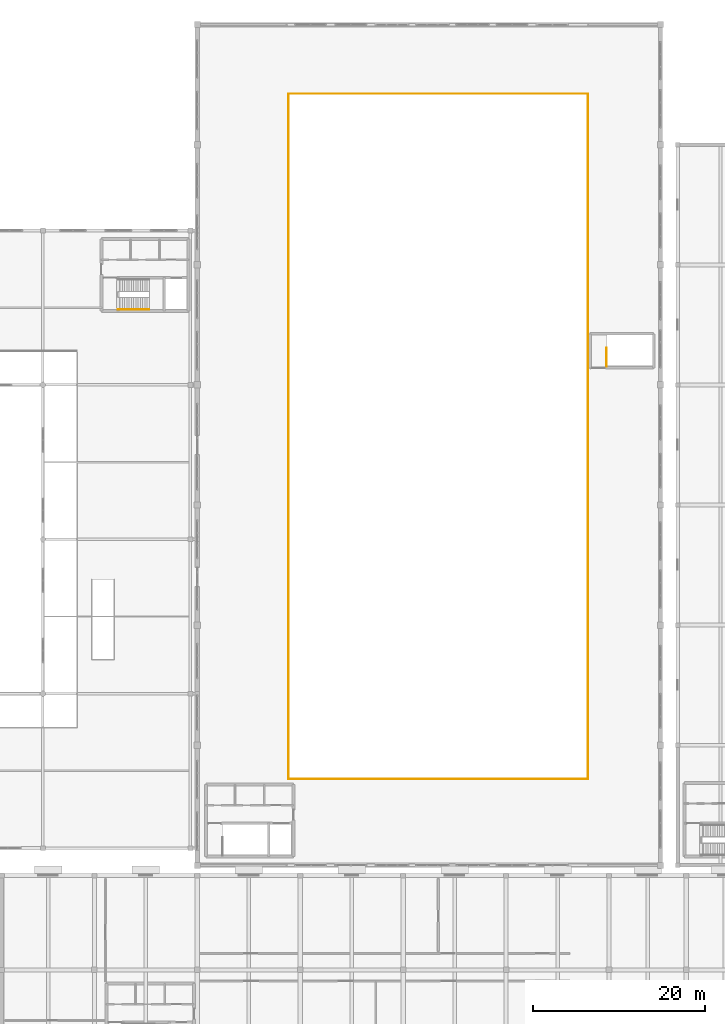
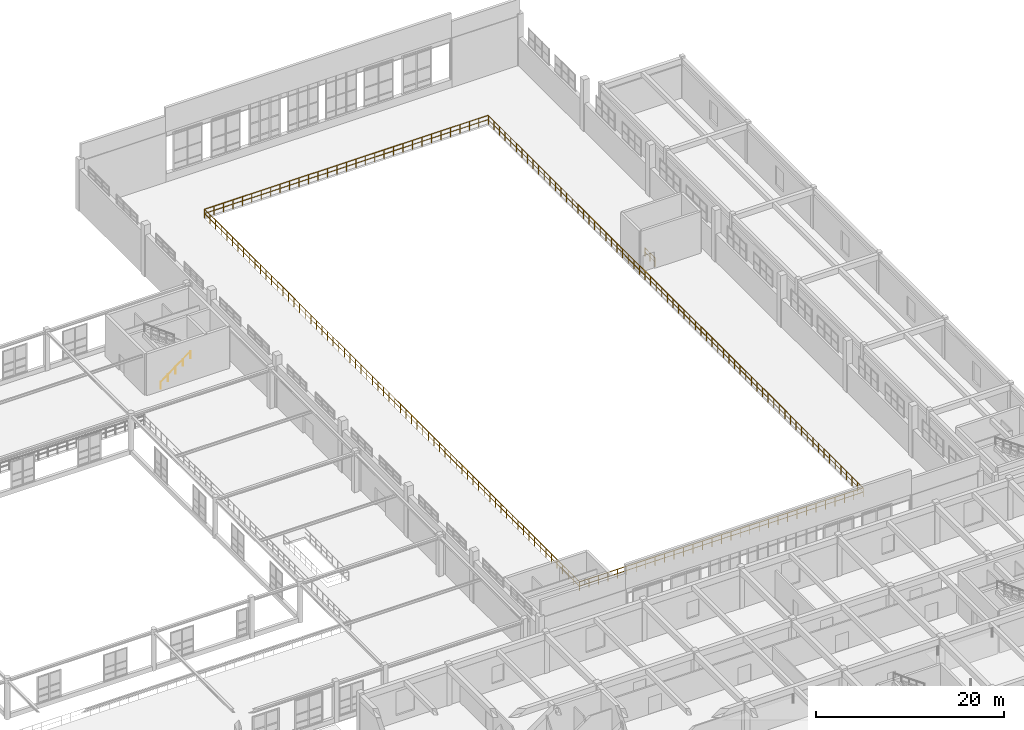
# One storey, part 196 of 197: 4 railings.
"""IFC4 building model written with IfcOpenShell, lengths in metres."""

from ifc_helpers import new_model, si_unit, derived_unit, direction, frame, origin, origin_2d, place, context, subcontext, project, spatial, circle, extrude, material, type_object, element, save


model = new_model("IFC4")

# Units and contexts
model_context = context("Model", 3, precision=1e-05, world=origin(), true_north=direction((0.0, 1.0)))
body_context = subcontext(model_context, "Body", "Model", "MODEL_VIEW")
ifc_project = project(units=[si_unit("LENGTHUNIT", "METRE"), si_unit("AREAUNIT", "SQUARE_METRE"), si_unit("VOLUMEUNIT", "CUBIC_METRE"), si_unit("PLANEANGLEUNIT", "RADIAN"), si_unit("MASSUNIT", "GRAM", prefix="KILO"), derived_unit("THERMALTRANSMITTANCEUNIT", [(si_unit("POWERUNIT", "WATT"), 1), (si_unit("LENGTHUNIT", "METRE"), -2), (si_unit("THERMODYNAMICTEMPERATUREUNIT", "KELVIN"), -1)])], contexts=[model_context])

# Site, building, storey
site_placement = place(None, origin())
site = spatial("IfcSite", under=ifc_project, at=site_placement, CompositionType="ELEMENT")
building_placement = place(site_placement, origin())
building = spatial("IfcBuilding", under=site, at=building_placement, Name="Almenara Railside Exhibition Hall", CompositionType="ELEMENT")
storey_placement = place(building_placement, frame((0.0, 0.0, 5.39990234375)))
storey = spatial("IfcBuildingStorey", under=building, at=storey_placement, Name="L01", CompositionType="ELEMENT", Elevation=5.39990234375)

# Railings
ifc_material_1 = material(Name="Bronze-capped laminated glass balustrade", Category="glass")
railing_type_1 = type_object("IfcRailingType", Name="Gallery Overlook Glazed Balustrade 1150mm", PredefinedType="BALUSTRADE", material=ifc_material_1)
railing_1_placement = place(storey_placement, frame((148.64990234375, 44.050048828125, 0.0)))
element("IfcRailing", 1, at=railing_1_placement, inside=storey, type_object=railing_type_1, Name="Guard balustrade 0020", PredefinedType="BALUSTRADE", context=body_context, shape_type="SweptSolid", body=[
    extrude(circle(Radius=0.02392578125, at=origin_2d()), frame((0.0, 0.0, 1.1259765625), z_axis=(1.0, 0.0, 0.0), x_axis=(0.0, 1.0, 0.0)), (0.0, 0.0, 1.0), 34.900146484375),
    extrude(circle(Radius=0.01416015625, at=origin_2d()), frame((0.0, 0.0, 0.574951171875), z_axis=(1.0, 0.0, 0.0), x_axis=(0.0, 1.0, 0.0)), (0.0, 0.0, 1.0), 34.900146484375),
    extrude(circle(Radius=0.02392578125, at=origin_2d()), frame((34.900146484375, 0.0, 1.1259765625), z_axis=(0.0, 1.0, 0.0), x_axis=(-1.0, 0.0, 0.0)), (0.0, 0.0, 1.0), 79.875),
    extrude(circle(Radius=0.01416015625, at=origin_2d()), frame((34.900146484375, 0.0, 0.574951171875), z_axis=(0.0, 1.0, 0.0), x_axis=(-1.0, 0.0, 0.0)), (0.0, 0.0, 1.0), 79.875),
    extrude(circle(Radius=0.02099609375, at=origin_2d()), origin(), (0.0, 0.0, 1.0), 1.101806640625),
    extrude(circle(Radius=0.02099609375, at=origin_2d()), frame((1.163330078125, 0.0, 0.0)), (0.0, 0.0, 1.0), 1.101806640625),
    extrude(circle(Radius=0.02099609375, at=origin_2d()), frame((2.32666015625, 0.0, 0.0)), (0.0, 0.0, 1.0), 1.101806640625),
    extrude(circle(Radius=0.02099609375, at=origin_2d()), frame((3.489990234375, 0.0, 0.0)), (0.0, 0.0, 1.0), 1.101806640625),
    extrude(circle(Radius=0.02099609375, at=origin_2d()), frame((4.6533203125, 0.0, 0.0)), (0.0, 0.0, 1.0), 1.101806640625),
    extrude(circle(Radius=0.02099609375, at=origin_2d()), frame((5.816650390625, 0.0, 0.0)), (0.0, 0.0, 1.0), 1.101806640625),
    extrude(circle(Radius=0.02099609375, at=origin_2d()), frame((6.97998046875, 0.0, 0.0)), (0.0, 0.0, 1.0), 1.101806640625),
    extrude(circle(Radius=0.02099609375, at=origin_2d()), frame((8.143310546875, 0.0, 0.0)), (0.0, 0.0, 1.0), 1.101806640625),
    extrude(circle(Radius=0.02099609375, at=origin_2d()), frame((9.306640625, 0.0, 0.0)), (0.0, 0.0, 1.0), 1.101806640625),
    extrude(circle(Radius=0.02099609375, at=origin_2d()), frame((10.469970703125, 0.0, 0.0)), (0.0, 0.0, 1.0), 1.101806640625),
    extrude(circle(Radius=0.02099609375, at=origin_2d()), frame((11.63330078125, 0.0, 0.0)), (0.0, 0.0, 1.0), 1.101806640625),
    extrude(circle(Radius=0.02099609375, at=origin_2d()), frame((12.796630859375, 0.0, 0.0)), (0.0, 0.0, 1.0), 1.101806640625),
    extrude(circle(Radius=0.02099609375, at=origin_2d()), frame((13.9599609375, 0.0, 0.0)), (0.0, 0.0, 1.0), 1.101806640625),
    extrude(circle(Radius=0.02099609375, at=origin_2d()), frame((15.123291015625, 0.0, 0.0)), (0.0, 0.0, 1.0), 1.101806640625),
    extrude(circle(Radius=0.02099609375, at=origin_2d()), frame((16.28662109375, 0.0, 0.0)), (0.0, 0.0, 1.0), 1.101806640625),
    extrude(circle(Radius=0.02099609375, at=origin_2d()), frame((17.4501953125, 0.0, 0.0)), (0.0, 0.0, 1.0), 1.101806640625),
    extrude(circle(Radius=0.02099609375, at=origin_2d()), frame((18.613525390625, 0.0, 0.0)), (0.0, 0.0, 1.0), 1.101806640625),
    extrude(circle(Radius=0.02099609375, at=origin_2d()), frame((19.77685546875, 0.0, 0.0)), (0.0, 0.0, 1.0), 1.101806640625),
    extrude(circle(Radius=0.02099609375, at=origin_2d()), frame((20.940185546875, 0.0, 0.0)), (0.0, 0.0, 1.0), 1.101806640625),
    extrude(circle(Radius=0.02099609375, at=origin_2d()), frame((22.103515625, 0.0, 0.0)), (0.0, 0.0, 1.0), 1.101806640625),
    extrude(circle(Radius=0.02099609375, at=origin_2d()), frame((23.266845703125, 0.0, 0.0)), (0.0, 0.0, 1.0), 1.101806640625),
    extrude(circle(Radius=0.02099609375, at=origin_2d()), frame((24.43017578125, 0.0, 0.0)), (0.0, 0.0, 1.0), 1.101806640625),
    extrude(circle(Radius=0.02099609375, at=origin_2d()), frame((25.593505859375, 0.0, 0.0)), (0.0, 0.0, 1.0), 1.101806640625),
    extrude(circle(Radius=0.02099609375, at=origin_2d()), frame((26.7568359375, 0.0, 0.0)), (0.0, 0.0, 1.0), 1.101806640625),
    extrude(circle(Radius=0.02099609375, at=origin_2d()), frame((27.920166015625, 0.0, 0.0)), (0.0, 0.0, 1.0), 1.101806640625),
    extrude(circle(Radius=0.02099609375, at=origin_2d()), frame((29.08349609375, 0.0, 0.0)), (0.0, 0.0, 1.0), 1.101806640625),
    extrude(circle(Radius=0.02099609375, at=origin_2d()), frame((30.246826171875, 0.0, 0.0)), (0.0, 0.0, 1.0), 1.101806640625),
    extrude(circle(Radius=0.02099609375, at=origin_2d()), frame((31.41015625, 0.0, 0.0)), (0.0, 0.0, 1.0), 1.101806640625),
    extrude(circle(Radius=0.02099609375, at=origin_2d()), frame((32.573486328125, 0.0, 0.0)), (0.0, 0.0, 1.0), 1.101806640625),
    extrude(circle(Radius=0.02099609375, at=origin_2d()), frame((33.73681640625, 0.0, 0.0)), (0.0, 0.0, 1.0), 1.101806640625),
    extrude(circle(Radius=0.02099609375, at=origin_2d()), frame((34.900146484375, 0.0, 0.0)), (0.0, 0.0, 1.0), 1.101806640625),
    extrude(circle(Radius=0.02099609375, at=origin_2d()), frame((34.900146484375, 1.192138671875, 0.0)), (0.0, 0.0, 1.0), 1.101806640625),
    extrude(circle(Radius=0.02099609375, at=origin_2d()), frame((34.900146484375, 2.38427734375, 0.0)), (0.0, 0.0, 1.0), 1.101806640625),
    extrude(circle(Radius=0.02099609375, at=origin_2d()), frame((34.900146484375, 3.576416015625, 0.0)), (0.0, 0.0, 1.0), 1.101806640625),
    extrude(circle(Radius=0.02099609375, at=origin_2d()), frame((34.900146484375, 4.7685546875, 0.0)), (0.0, 0.0, 1.0), 1.101806640625),
    extrude(circle(Radius=0.02099609375, at=origin_2d()), frame((34.900146484375, 5.9609375, 0.0)), (0.0, 0.0, 1.0), 1.101806640625),
    extrude(circle(Radius=0.02099609375, at=origin_2d()), frame((34.900146484375, 7.153076171875, 0.0)), (0.0, 0.0, 1.0), 1.101806640625),
    extrude(circle(Radius=0.02099609375, at=origin_2d()), frame((34.900146484375, 8.34521484375, 0.0)), (0.0, 0.0, 1.0), 1.101806640625),
    extrude(circle(Radius=0.02099609375, at=origin_2d()), frame((34.900146484375, 9.537353515625, 0.0)), (0.0, 0.0, 1.0), 1.101806640625),
    extrude(circle(Radius=0.02099609375, at=origin_2d()), frame((34.900146484375, 10.7294921875, 0.0)), (0.0, 0.0, 1.0), 1.101806640625),
    extrude(circle(Radius=0.02099609375, at=origin_2d()), frame((34.900146484375, 11.921630859375, 0.0)), (0.0, 0.0, 1.0), 1.101806640625),
    extrude(circle(Radius=0.02099609375, at=origin_2d()), frame((34.900146484375, 13.11376953125, 0.0)), (0.0, 0.0, 1.0), 1.101806640625),
    extrude(circle(Radius=0.02099609375, at=origin_2d()), frame((34.900146484375, 14.305908203125, 0.0)), (0.0, 0.0, 1.0), 1.101806640625),
    extrude(circle(Radius=0.02099609375, at=origin_2d()), frame((34.900146484375, 15.498046875, 0.0)), (0.0, 0.0, 1.0), 1.101806640625),
    extrude(circle(Radius=0.02099609375, at=origin_2d()), frame((34.900146484375, 16.690185546875, 0.0)), (0.0, 0.0, 1.0), 1.101806640625),
    extrude(circle(Radius=0.02099609375, at=origin_2d()), frame((34.900146484375, 17.882568359375, 0.0)), (0.0, 0.0, 1.0), 1.101806640625),
    extrude(circle(Radius=0.02099609375, at=origin_2d()), frame((34.900146484375, 19.07470703125, 0.0)), (0.0, 0.0, 1.0), 1.101806640625),
    extrude(circle(Radius=0.02099609375, at=origin_2d()), frame((34.900146484375, 20.266845703125, 0.0)), (0.0, 0.0, 1.0), 1.101806640625),
    extrude(circle(Radius=0.02099609375, at=origin_2d()), frame((34.900146484375, 21.458984375, 0.0)), (0.0, 0.0, 1.0), 1.101806640625),
    extrude(circle(Radius=0.02099609375, at=origin_2d()), frame((34.900146484375, 22.651123046875, 0.0)), (0.0, 0.0, 1.0), 1.101806640625),
    extrude(circle(Radius=0.02099609375, at=origin_2d()), frame((34.900146484375, 23.84326171875, 0.0)), (0.0, 0.0, 1.0), 1.101806640625),
    extrude(circle(Radius=0.02099609375, at=origin_2d()), frame((34.900146484375, 25.035400390625, 0.0)), (0.0, 0.0, 1.0), 1.101806640625),
    extrude(circle(Radius=0.02099609375, at=origin_2d()), frame((34.900146484375, 26.2275390625, 0.0)), (0.0, 0.0, 1.0), 1.101806640625),
    extrude(circle(Radius=0.02099609375, at=origin_2d()), frame((34.900146484375, 27.419677734375, 0.0)), (0.0, 0.0, 1.0), 1.101806640625),
    extrude(circle(Radius=0.02099609375, at=origin_2d()), frame((34.900146484375, 28.612060546875, 0.0)), (0.0, 0.0, 1.0), 1.101806640625),
    extrude(circle(Radius=0.02099609375, at=origin_2d()), frame((34.900146484375, 29.80419921875, 0.0)), (0.0, 0.0, 1.0), 1.101806640625),
    extrude(circle(Radius=0.02099609375, at=origin_2d()), frame((34.900146484375, 30.996337890625, 0.0)), (0.0, 0.0, 1.0), 1.101806640625),
    extrude(circle(Radius=0.02099609375, at=origin_2d()), frame((34.900146484375, 32.1884765625, 0.0)), (0.0, 0.0, 1.0), 1.101806640625),
    extrude(circle(Radius=0.02099609375, at=origin_2d()), frame((34.900146484375, 33.380615234375, 0.0)), (0.0, 0.0, 1.0), 1.101806640625),
    extrude(circle(Radius=0.02099609375, at=origin_2d()), frame((34.900146484375, 34.57275390625, 0.0)), (0.0, 0.0, 1.0), 1.101806640625),
    extrude(circle(Radius=0.02099609375, at=origin_2d()), frame((34.900146484375, 35.764892578125, 0.0)), (0.0, 0.0, 1.0), 1.101806640625),
    extrude(circle(Radius=0.02099609375, at=origin_2d()), frame((34.900146484375, 36.95703125, 0.0)), (0.0, 0.0, 1.0), 1.101806640625),
    extrude(circle(Radius=0.02099609375, at=origin_2d()), frame((34.900146484375, 38.149169921875, 0.0)), (0.0, 0.0, 1.0), 1.101806640625),
    extrude(circle(Radius=0.02099609375, at=origin_2d()), frame((34.900146484375, 39.34130859375, 0.0)), (0.0, 0.0, 1.0), 1.101806640625),
    extrude(circle(Radius=0.02099609375, at=origin_2d()), frame((34.900146484375, 40.53369140625, 0.0)), (0.0, 0.0, 1.0), 1.101806640625),
    extrude(circle(Radius=0.02099609375, at=origin_2d()), frame((34.900146484375, 41.725830078125, 0.0)), (0.0, 0.0, 1.0), 1.101806640625),
    extrude(circle(Radius=0.02099609375, at=origin_2d()), frame((34.900146484375, 42.91796875, 0.0)), (0.0, 0.0, 1.0), 1.101806640625),
    extrude(circle(Radius=0.02099609375, at=origin_2d()), frame((34.900146484375, 44.110107421875, 0.0)), (0.0, 0.0, 1.0), 1.101806640625),
    extrude(circle(Radius=0.02099609375, at=origin_2d()), frame((34.900146484375, 45.30224609375, 0.0)), (0.0, 0.0, 1.0), 1.101806640625),
    extrude(circle(Radius=0.02099609375, at=origin_2d()), frame((34.900146484375, 46.494384765625, 0.0)), (0.0, 0.0, 1.0), 1.101806640625),
    extrude(circle(Radius=0.02099609375, at=origin_2d()), frame((34.900146484375, 47.6865234375, 0.0)), (0.0, 0.0, 1.0), 1.101806640625),
    extrude(circle(Radius=0.02099609375, at=origin_2d()), frame((34.900146484375, 48.878662109375, 0.0)), (0.0, 0.0, 1.0), 1.101806640625),
    extrude(circle(Radius=0.02099609375, at=origin_2d()), frame((34.900146484375, 50.07080078125, 0.0)), (0.0, 0.0, 1.0), 1.101806640625),
    extrude(circle(Radius=0.02099609375, at=origin_2d()), frame((34.900146484375, 51.262939453125, 0.0)), (0.0, 0.0, 1.0), 1.101806640625),
    extrude(circle(Radius=0.02099609375, at=origin_2d()), frame((34.900146484375, 52.455322265625, 0.0)), (0.0, 0.0, 1.0), 1.101806640625),
    extrude(circle(Radius=0.02099609375, at=origin_2d()), frame((34.900146484375, 53.6474609375, 0.0)), (0.0, 0.0, 1.0), 1.101806640625),
    extrude(circle(Radius=0.02099609375, at=origin_2d()), frame((34.900146484375, 54.839599609375, 0.0)), (0.0, 0.0, 1.0), 1.101806640625),
    extrude(circle(Radius=0.02099609375, at=origin_2d()), frame((34.900146484375, 56.03173828125, 0.0)), (0.0, 0.0, 1.0), 1.101806640625),
    extrude(circle(Radius=0.02099609375, at=origin_2d()), frame((34.900146484375, 57.223876953125, 0.0)), (0.0, 0.0, 1.0), 1.101806640625),
    extrude(circle(Radius=0.02099609375, at=origin_2d()), frame((34.900146484375, 58.416015625, 0.0)), (0.0, 0.0, 1.0), 1.101806640625),
    extrude(circle(Radius=0.02099609375, at=origin_2d()), frame((34.900146484375, 59.608154296875, 0.0)), (0.0, 0.0, 1.0), 1.101806640625),
    extrude(circle(Radius=0.02099609375, at=origin_2d()), frame((34.900146484375, 60.80029296875, 0.0)), (0.0, 0.0, 1.0), 1.101806640625),
    extrude(circle(Radius=0.02099609375, at=origin_2d()), frame((34.900146484375, 61.992431640625, 0.0)), (0.0, 0.0, 1.0), 1.101806640625),
    extrude(circle(Radius=0.02099609375, at=origin_2d()), frame((34.900146484375, 63.184814453125, 0.0)), (0.0, 0.0, 1.0), 1.101806640625),
    extrude(circle(Radius=0.02099609375, at=origin_2d()), frame((34.900146484375, 64.376953125, 0.0)), (0.0, 0.0, 1.0), 1.101806640625),
    extrude(circle(Radius=0.02099609375, at=origin_2d()), frame((34.900146484375, 65.569091796875, 0.0)), (0.0, 0.0, 1.0), 1.101806640625),
    extrude(circle(Radius=0.02099609375, at=origin_2d()), frame((34.900146484375, 66.76123046875, 0.0)), (0.0, 0.0, 1.0), 1.101806640625),
    extrude(circle(Radius=0.02099609375, at=origin_2d()), frame((34.900146484375, 67.953369140625, 0.0)), (0.0, 0.0, 1.0), 1.101806640625),
    extrude(circle(Radius=0.02099609375, at=origin_2d()), frame((34.900146484375, 69.1455078125, 0.0)), (0.0, 0.0, 1.0), 1.101806640625),
    extrude(circle(Radius=0.02099609375, at=origin_2d()), frame((34.900146484375, 70.337646484375, 0.0)), (0.0, 0.0, 1.0), 1.101806640625),
    extrude(circle(Radius=0.02099609375, at=origin_2d()), frame((34.900146484375, 71.52978515625, 0.0)), (0.0, 0.0, 1.0), 1.101806640625),
    extrude(circle(Radius=0.02099609375, at=origin_2d()), frame((34.900146484375, 72.721923828125, 0.0)), (0.0, 0.0, 1.0), 1.101806640625),
    extrude(circle(Radius=0.02099609375, at=origin_2d()), frame((34.900146484375, 73.9140625, 0.0)), (0.0, 0.0, 1.0), 1.101806640625),
    extrude(circle(Radius=0.02099609375, at=origin_2d()), frame((34.900146484375, 75.1064453125, 0.0)), (0.0, 0.0, 1.0), 1.101806640625),
    extrude(circle(Radius=0.02099609375, at=origin_2d()), frame((34.900146484375, 76.298583984375, 0.0)), (0.0, 0.0, 1.0), 1.101806640625),
    extrude(circle(Radius=0.02099609375, at=origin_2d()), frame((34.900146484375, 77.49072265625, 0.0)), (0.0, 0.0, 1.0), 1.101806640625),
    extrude(circle(Radius=0.02099609375, at=origin_2d()), frame((34.900146484375, 78.682861328125, 0.0)), (0.0, 0.0, 1.0), 1.101806640625),
    extrude(circle(Radius=0.02099609375, at=origin_2d()), frame((34.900146484375, 79.875, 0.0)), (0.0, 0.0, 1.0), 1.101806640625),
])
railing_2_placement = place(storey_placement, frame((183.550048828125, 123.949951171875, 0.0)))
element("IfcRailing", 2, at=railing_2_placement, inside=storey, type_object=railing_type_1, Name="Guard balustrade 0021", PredefinedType="BALUSTRADE", context=body_context, shape_type="SweptSolid", body=[
    extrude(circle(Radius=0.02392578125, at=origin_2d()), frame((0.0, 0.0, 1.1259765625), z_axis=(-1.0, 0.0, 0.0), x_axis=(0.0, -1.0, 0.0)), (0.0, 0.0, 1.0), 34.900146484375),
    extrude(circle(Radius=0.01416015625, at=origin_2d()), frame((0.0, 0.0, 0.574951171875), z_axis=(-1.0, 0.0, 0.0), x_axis=(0.0, -1.0, 0.0)), (0.0, 0.0, 1.0), 34.900146484375),
    extrude(circle(Radius=0.02392578125, at=origin_2d()), frame((-34.900146484375, 0.0, 1.1259765625), z_axis=(0.0, -1.0, 0.0), x_axis=(1.0, 0.0, 0.0)), (0.0, 0.0, 1.0), 79.875),
    extrude(circle(Radius=0.01416015625, at=origin_2d()), frame((-34.900146484375, 0.0, 0.574951171875), z_axis=(0.0, -1.0, 0.0), x_axis=(1.0, 0.0, 0.0)), (0.0, 0.0, 1.0), 79.875),
    extrude(circle(Radius=0.02099609375, at=origin_2d()), origin(), (0.0, 0.0, 1.0), 1.101806640625),
    extrude(circle(Radius=0.02099609375, at=origin_2d()), frame((-1.163330078125, 0.0, 0.0)), (0.0, 0.0, 1.0), 1.101806640625),
    extrude(circle(Radius=0.02099609375, at=origin_2d()), frame((-2.32666015625, 0.0, 0.0)), (0.0, 0.0, 1.0), 1.101806640625),
    extrude(circle(Radius=0.02099609375, at=origin_2d()), frame((-3.489990234375, 0.0, 0.0)), (0.0, 0.0, 1.0), 1.101806640625),
    extrude(circle(Radius=0.02099609375, at=origin_2d()), frame((-4.6533203125, 0.0, 0.0)), (0.0, 0.0, 1.0), 1.101806640625),
    extrude(circle(Radius=0.02099609375, at=origin_2d()), frame((-5.816650390625, 0.0, 0.0)), (0.0, 0.0, 1.0), 1.101806640625),
    extrude(circle(Radius=0.02099609375, at=origin_2d()), frame((-6.97998046875, 0.0, 0.0)), (0.0, 0.0, 1.0), 1.101806640625),
    extrude(circle(Radius=0.02099609375, at=origin_2d()), frame((-8.143310546875, 0.0, 0.0)), (0.0, 0.0, 1.0), 1.101806640625),
    extrude(circle(Radius=0.02099609375, at=origin_2d()), frame((-9.306640625, 0.0, 0.0)), (0.0, 0.0, 1.0), 1.101806640625),
    extrude(circle(Radius=0.02099609375, at=origin_2d()), frame((-10.469970703125, 0.0, 0.0)), (0.0, 0.0, 1.0), 1.101806640625),
    extrude(circle(Radius=0.02099609375, at=origin_2d()), frame((-11.63330078125, 0.0, 0.0)), (0.0, 0.0, 1.0), 1.101806640625),
    extrude(circle(Radius=0.02099609375, at=origin_2d()), frame((-12.796630859375, 0.0, 0.0)), (0.0, 0.0, 1.0), 1.101806640625),
    extrude(circle(Radius=0.02099609375, at=origin_2d()), frame((-13.9599609375, 0.0, 0.0)), (0.0, 0.0, 1.0), 1.101806640625),
    extrude(circle(Radius=0.02099609375, at=origin_2d()), frame((-15.123291015625, 0.0, 0.0)), (0.0, 0.0, 1.0), 1.101806640625),
    extrude(circle(Radius=0.02099609375, at=origin_2d()), frame((-16.28662109375, 0.0, 0.0)), (0.0, 0.0, 1.0), 1.101806640625),
    extrude(circle(Radius=0.02099609375, at=origin_2d()), frame((-17.4501953125, 0.0, 0.0)), (0.0, 0.0, 1.0), 1.101806640625),
    extrude(circle(Radius=0.02099609375, at=origin_2d()), frame((-18.613525390625, 0.0, 0.0)), (0.0, 0.0, 1.0), 1.101806640625),
    extrude(circle(Radius=0.02099609375, at=origin_2d()), frame((-19.77685546875, 0.0, 0.0)), (0.0, 0.0, 1.0), 1.101806640625),
    extrude(circle(Radius=0.02099609375, at=origin_2d()), frame((-20.940185546875, 0.0, 0.0)), (0.0, 0.0, 1.0), 1.101806640625),
    extrude(circle(Radius=0.02099609375, at=origin_2d()), frame((-22.103515625, 0.0, 0.0)), (0.0, 0.0, 1.0), 1.101806640625),
    extrude(circle(Radius=0.02099609375, at=origin_2d()), frame((-23.266845703125, 0.0, 0.0)), (0.0, 0.0, 1.0), 1.101806640625),
    extrude(circle(Radius=0.02099609375, at=origin_2d()), frame((-24.43017578125, 0.0, 0.0)), (0.0, 0.0, 1.0), 1.101806640625),
    extrude(circle(Radius=0.02099609375, at=origin_2d()), frame((-25.593505859375, 0.0, 0.0)), (0.0, 0.0, 1.0), 1.101806640625),
    extrude(circle(Radius=0.02099609375, at=origin_2d()), frame((-26.7568359375, 0.0, 0.0)), (0.0, 0.0, 1.0), 1.101806640625),
    extrude(circle(Radius=0.02099609375, at=origin_2d()), frame((-27.920166015625, 0.0, 0.0)), (0.0, 0.0, 1.0), 1.101806640625),
    extrude(circle(Radius=0.02099609375, at=origin_2d()), frame((-29.08349609375, 0.0, 0.0)), (0.0, 0.0, 1.0), 1.101806640625),
    extrude(circle(Radius=0.02099609375, at=origin_2d()), frame((-30.246826171875, 0.0, 0.0)), (0.0, 0.0, 1.0), 1.101806640625),
    extrude(circle(Radius=0.02099609375, at=origin_2d()), frame((-31.41015625, 0.0, 0.0)), (0.0, 0.0, 1.0), 1.101806640625),
    extrude(circle(Radius=0.02099609375, at=origin_2d()), frame((-32.573486328125, 0.0, 0.0)), (0.0, 0.0, 1.0), 1.101806640625),
    extrude(circle(Radius=0.02099609375, at=origin_2d()), frame((-33.73681640625, 0.0, 0.0)), (0.0, 0.0, 1.0), 1.101806640625),
    extrude(circle(Radius=0.02099609375, at=origin_2d()), frame((-34.900146484375, 0.0, 0.0)), (0.0, 0.0, 1.0), 1.101806640625),
    extrude(circle(Radius=0.02099609375, at=origin_2d()), frame((-34.900146484375, -1.192138671875, 0.0)), (0.0, 0.0, 1.0), 1.101806640625),
    extrude(circle(Radius=0.02099609375, at=origin_2d()), frame((-34.900146484375, -2.38427734375, 0.0)), (0.0, 0.0, 1.0), 1.101806640625),
    extrude(circle(Radius=0.02099609375, at=origin_2d()), frame((-34.900146484375, -3.576416015625, 0.0)), (0.0, 0.0, 1.0), 1.101806640625),
    extrude(circle(Radius=0.02099609375, at=origin_2d()), frame((-34.900146484375, -4.7685546875, 0.0)), (0.0, 0.0, 1.0), 1.101806640625),
    extrude(circle(Radius=0.02099609375, at=origin_2d()), frame((-34.900146484375, -5.9609375, 0.0)), (0.0, 0.0, 1.0), 1.101806640625),
    extrude(circle(Radius=0.02099609375, at=origin_2d()), frame((-34.900146484375, -7.153076171875, 0.0)), (0.0, 0.0, 1.0), 1.101806640625),
    extrude(circle(Radius=0.02099609375, at=origin_2d()), frame((-34.900146484375, -8.34521484375, 0.0)), (0.0, 0.0, 1.0), 1.101806640625),
    extrude(circle(Radius=0.02099609375, at=origin_2d()), frame((-34.900146484375, -9.537353515625, 0.0)), (0.0, 0.0, 1.0), 1.101806640625),
    extrude(circle(Radius=0.02099609375, at=origin_2d()), frame((-34.900146484375, -10.7294921875, 0.0)), (0.0, 0.0, 1.0), 1.101806640625),
    extrude(circle(Radius=0.02099609375, at=origin_2d()), frame((-34.900146484375, -11.921630859375, 0.0)), (0.0, 0.0, 1.0), 1.101806640625),
    extrude(circle(Radius=0.02099609375, at=origin_2d()), frame((-34.900146484375, -13.11376953125, 0.0)), (0.0, 0.0, 1.0), 1.101806640625),
    extrude(circle(Radius=0.02099609375, at=origin_2d()), frame((-34.900146484375, -14.305908203125, 0.0)), (0.0, 0.0, 1.0), 1.101806640625),
    extrude(circle(Radius=0.02099609375, at=origin_2d()), frame((-34.900146484375, -15.498046875, 0.0)), (0.0, 0.0, 1.0), 1.101806640625),
    extrude(circle(Radius=0.02099609375, at=origin_2d()), frame((-34.900146484375, -16.690185546875, 0.0)), (0.0, 0.0, 1.0), 1.101806640625),
    extrude(circle(Radius=0.02099609375, at=origin_2d()), frame((-34.900146484375, -17.882568359375, 0.0)), (0.0, 0.0, 1.0), 1.101806640625),
    extrude(circle(Radius=0.02099609375, at=origin_2d()), frame((-34.900146484375, -19.07470703125, 0.0)), (0.0, 0.0, 1.0), 1.101806640625),
    extrude(circle(Radius=0.02099609375, at=origin_2d()), frame((-34.900146484375, -20.266845703125, 0.0)), (0.0, 0.0, 1.0), 1.101806640625),
    extrude(circle(Radius=0.02099609375, at=origin_2d()), frame((-34.900146484375, -21.458984375, 0.0)), (0.0, 0.0, 1.0), 1.101806640625),
    extrude(circle(Radius=0.02099609375, at=origin_2d()), frame((-34.900146484375, -22.651123046875, 0.0)), (0.0, 0.0, 1.0), 1.101806640625),
    extrude(circle(Radius=0.02099609375, at=origin_2d()), frame((-34.900146484375, -23.84326171875, 0.0)), (0.0, 0.0, 1.0), 1.101806640625),
    extrude(circle(Radius=0.02099609375, at=origin_2d()), frame((-34.900146484375, -25.035400390625, 0.0)), (0.0, 0.0, 1.0), 1.101806640625),
    extrude(circle(Radius=0.02099609375, at=origin_2d()), frame((-34.900146484375, -26.2275390625, 0.0)), (0.0, 0.0, 1.0), 1.101806640625),
    extrude(circle(Radius=0.02099609375, at=origin_2d()), frame((-34.900146484375, -27.419677734375, 0.0)), (0.0, 0.0, 1.0), 1.101806640625),
    extrude(circle(Radius=0.02099609375, at=origin_2d()), frame((-34.900146484375, -28.612060546875, 0.0)), (0.0, 0.0, 1.0), 1.101806640625),
    extrude(circle(Radius=0.02099609375, at=origin_2d()), frame((-34.900146484375, -29.80419921875, 0.0)), (0.0, 0.0, 1.0), 1.101806640625),
    extrude(circle(Radius=0.02099609375, at=origin_2d()), frame((-34.900146484375, -30.996337890625, 0.0)), (0.0, 0.0, 1.0), 1.101806640625),
    extrude(circle(Radius=0.02099609375, at=origin_2d()), frame((-34.900146484375, -32.1884765625, 0.0)), (0.0, 0.0, 1.0), 1.101806640625),
    extrude(circle(Radius=0.02099609375, at=origin_2d()), frame((-34.900146484375, -33.380615234375, 0.0)), (0.0, 0.0, 1.0), 1.101806640625),
    extrude(circle(Radius=0.02099609375, at=origin_2d()), frame((-34.900146484375, -34.57275390625, 0.0)), (0.0, 0.0, 1.0), 1.101806640625),
    extrude(circle(Radius=0.02099609375, at=origin_2d()), frame((-34.900146484375, -35.764892578125, 0.0)), (0.0, 0.0, 1.0), 1.101806640625),
    extrude(circle(Radius=0.02099609375, at=origin_2d()), frame((-34.900146484375, -36.95703125, 0.0)), (0.0, 0.0, 1.0), 1.101806640625),
    extrude(circle(Radius=0.02099609375, at=origin_2d()), frame((-34.900146484375, -38.149169921875, 0.0)), (0.0, 0.0, 1.0), 1.101806640625),
    extrude(circle(Radius=0.02099609375, at=origin_2d()), frame((-34.900146484375, -39.34130859375, 0.0)), (0.0, 0.0, 1.0), 1.101806640625),
    extrude(circle(Radius=0.02099609375, at=origin_2d()), frame((-34.900146484375, -40.53369140625, 0.0)), (0.0, 0.0, 1.0), 1.101806640625),
    extrude(circle(Radius=0.02099609375, at=origin_2d()), frame((-34.900146484375, -41.725830078125, 0.0)), (0.0, 0.0, 1.0), 1.101806640625),
    extrude(circle(Radius=0.02099609375, at=origin_2d()), frame((-34.900146484375, -42.91796875, 0.0)), (0.0, 0.0, 1.0), 1.101806640625),
    extrude(circle(Radius=0.02099609375, at=origin_2d()), frame((-34.900146484375, -44.110107421875, 0.0)), (0.0, 0.0, 1.0), 1.101806640625),
    extrude(circle(Radius=0.02099609375, at=origin_2d()), frame((-34.900146484375, -45.30224609375, 0.0)), (0.0, 0.0, 1.0), 1.101806640625),
    extrude(circle(Radius=0.02099609375, at=origin_2d()), frame((-34.900146484375, -46.494384765625, 0.0)), (0.0, 0.0, 1.0), 1.101806640625),
    extrude(circle(Radius=0.02099609375, at=origin_2d()), frame((-34.900146484375, -47.6865234375, 0.0)), (0.0, 0.0, 1.0), 1.101806640625),
    extrude(circle(Radius=0.02099609375, at=origin_2d()), frame((-34.900146484375, -48.878662109375, 0.0)), (0.0, 0.0, 1.0), 1.101806640625),
    extrude(circle(Radius=0.02099609375, at=origin_2d()), frame((-34.900146484375, -50.07080078125, 0.0)), (0.0, 0.0, 1.0), 1.101806640625),
    extrude(circle(Radius=0.02099609375, at=origin_2d()), frame((-34.900146484375, -51.262939453125, 0.0)), (0.0, 0.0, 1.0), 1.101806640625),
    extrude(circle(Radius=0.02099609375, at=origin_2d()), frame((-34.900146484375, -52.455322265625, 0.0)), (0.0, 0.0, 1.0), 1.101806640625),
    extrude(circle(Radius=0.02099609375, at=origin_2d()), frame((-34.900146484375, -53.6474609375, 0.0)), (0.0, 0.0, 1.0), 1.101806640625),
    extrude(circle(Radius=0.02099609375, at=origin_2d()), frame((-34.900146484375, -54.839599609375, 0.0)), (0.0, 0.0, 1.0), 1.101806640625),
    extrude(circle(Radius=0.02099609375, at=origin_2d()), frame((-34.900146484375, -56.03173828125, 0.0)), (0.0, 0.0, 1.0), 1.101806640625),
    extrude(circle(Radius=0.02099609375, at=origin_2d()), frame((-34.900146484375, -57.223876953125, 0.0)), (0.0, 0.0, 1.0), 1.101806640625),
    extrude(circle(Radius=0.02099609375, at=origin_2d()), frame((-34.900146484375, -58.416015625, 0.0)), (0.0, 0.0, 1.0), 1.101806640625),
    extrude(circle(Radius=0.02099609375, at=origin_2d()), frame((-34.900146484375, -59.608154296875, 0.0)), (0.0, 0.0, 1.0), 1.101806640625),
    extrude(circle(Radius=0.02099609375, at=origin_2d()), frame((-34.900146484375, -60.80029296875, 0.0)), (0.0, 0.0, 1.0), 1.101806640625),
    extrude(circle(Radius=0.02099609375, at=origin_2d()), frame((-34.900146484375, -61.992431640625, 0.0)), (0.0, 0.0, 1.0), 1.101806640625),
    extrude(circle(Radius=0.02099609375, at=origin_2d()), frame((-34.900146484375, -63.184814453125, 0.0)), (0.0, 0.0, 1.0), 1.101806640625),
    extrude(circle(Radius=0.02099609375, at=origin_2d()), frame((-34.900146484375, -64.376953125, 0.0)), (0.0, 0.0, 1.0), 1.101806640625),
    extrude(circle(Radius=0.02099609375, at=origin_2d()), frame((-34.900146484375, -65.569091796875, 0.0)), (0.0, 0.0, 1.0), 1.101806640625),
    extrude(circle(Radius=0.02099609375, at=origin_2d()), frame((-34.900146484375, -66.76123046875, 0.0)), (0.0, 0.0, 1.0), 1.101806640625),
    extrude(circle(Radius=0.02099609375, at=origin_2d()), frame((-34.900146484375, -67.953369140625, 0.0)), (0.0, 0.0, 1.0), 1.101806640625),
    extrude(circle(Radius=0.02099609375, at=origin_2d()), frame((-34.900146484375, -69.1455078125, 0.0)), (0.0, 0.0, 1.0), 1.101806640625),
    extrude(circle(Radius=0.02099609375, at=origin_2d()), frame((-34.900146484375, -70.337646484375, 0.0)), (0.0, 0.0, 1.0), 1.101806640625),
    extrude(circle(Radius=0.02099609375, at=origin_2d()), frame((-34.900146484375, -71.52978515625, 0.0)), (0.0, 0.0, 1.0), 1.101806640625),
    extrude(circle(Radius=0.02099609375, at=origin_2d()), frame((-34.900146484375, -72.721923828125, 0.0)), (0.0, 0.0, 1.0), 1.101806640625),
    extrude(circle(Radius=0.02099609375, at=origin_2d()), frame((-34.900146484375, -73.9140625, 0.0)), (0.0, 0.0, 1.0), 1.101806640625),
    extrude(circle(Radius=0.02099609375, at=origin_2d()), frame((-34.900146484375, -75.1064453125, 0.0)), (0.0, 0.0, 1.0), 1.101806640625),
    extrude(circle(Radius=0.02099609375, at=origin_2d()), frame((-34.900146484375, -76.298583984375, 0.0)), (0.0, 0.0, 1.0), 1.101806640625),
    extrude(circle(Radius=0.02099609375, at=origin_2d()), frame((-34.900146484375, -77.49072265625, 0.0)), (0.0, 0.0, 1.0), 1.101806640625),
    extrude(circle(Radius=0.02099609375, at=origin_2d()), frame((-34.900146484375, -78.682861328125, 0.0)), (0.0, 0.0, 1.0), 1.101806640625),
    extrude(circle(Radius=0.02099609375, at=origin_2d()), frame((-34.900146484375, -79.875, 0.0)), (0.0, 0.0, 1.0), 1.101806640625),
])
ifc_material_2 = material(Name="Bronze-finished tubular steel handrail", Category="steel")
railing_type_2 = type_object("IfcRailingType", Name="Stair Pitch Handrail 920mm", PredefinedType="HANDRAIL", material=ifc_material_2)
railing_3_placement = place(storey_placement, frame((128.75, 98.800048828125, 0.0)))
element("IfcRailing", 3, at=railing_3_placement, inside=storey, type_object=railing_type_2, Name="HR-L01-0073", PredefinedType="HANDRAIL", context=body_context, shape_type="SweptSolid", body=[
    extrude(circle(Radius=0.02392578125, at=origin_2d()), frame((0.0, 0.0, 0.89599609375), z_axis=(0.803919029911, 0.0, 0.594738760589), x_axis=(0.0, 1.0, 0.0)), (0.0, 0.0, 1.0), 4.5400390625),
    extrude(circle(Radius=0.02099609375, at=origin_2d()), origin(), (0.0, 0.0, 1.0), 0.871826171875),
    extrude(circle(Radius=0.02099609375, at=origin_2d()), frame((0.91259765625, 0.0, 0.675048828125)), (0.0, 0.0, 1.0), 0.871826171875),
    extrude(circle(Radius=0.02099609375, at=origin_2d()), frame((1.824951171875, 0.0, 1.35009765625)), (0.0, 0.0, 1.0), 0.871826171875),
    extrude(circle(Radius=0.02099609375, at=origin_2d()), frame((2.7373046875, 0.0, 2.025146484375)), (0.0, 0.0, 1.0), 0.871826171875),
    extrude(circle(Radius=0.02099609375, at=origin_2d()), frame((3.64990234375, 0.0, 2.7001953125)), (0.0, 0.0, 1.0), 0.871826171875),
])
ifc_material_3 = material(Name="Dark wrought-iron stair balustrade")
railing_type_3 = type_object("IfcRailingType", Name="Stair Well Guard Rail 1120mm", PredefinedType="BALUSTRADE", material=ifc_material_3)
railing_4_placement = place(storey_placement, frame((185.719970703125, 92.139892578125, 0.0)))
element("IfcRailing", 4, at=railing_4_placement, inside=storey, type_object=railing_type_3, Name="SG-L01-0136", PredefinedType="BALUSTRADE", context=body_context, shape_type="SweptSolid", body=[
    extrude(circle(Radius=0.02392578125, at=origin_2d()), frame((0.0, 0.0, 1.09619140625), z_axis=(0.0, 1.0, 0.0), x_axis=(-1.0, 0.0, 0.0)), (0.0, 0.0, 1.0), 2.18017578125),
    extrude(circle(Radius=0.01416015625, at=origin_2d()), frame((0.0, 0.0, 0.56005859375), z_axis=(0.0, 1.0, 0.0), x_axis=(-1.0, 0.0, 0.0)), (0.0, 0.0, 1.0), 2.18017578125),
    extrude(circle(Radius=0.02099609375, at=origin_2d()), origin(), (0.0, 0.0, 1.0), 1.072021484375),
    extrude(circle(Radius=0.02099609375, at=origin_2d()), frame((0.0, 1.090087890625, 0.0)), (0.0, 0.0, 1.0), 1.072021484375),
    extrude(circle(Radius=0.02099609375, at=origin_2d()), frame((0.0, 2.18017578125, 0.0)), (0.0, 0.0, 1.0), 1.072021484375),
])

save(model, "model.ifc")
